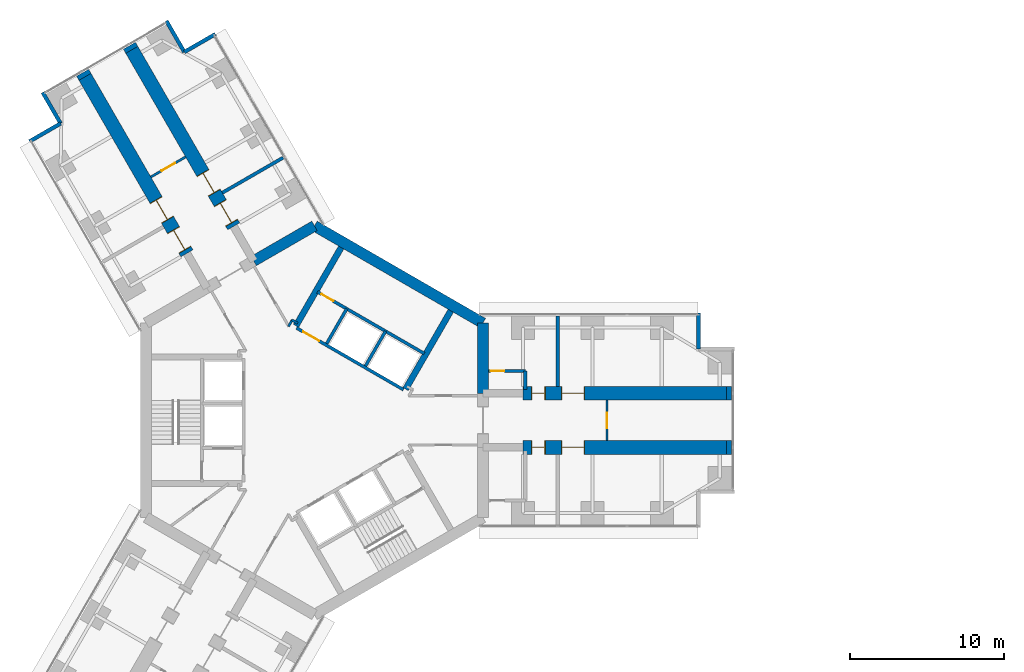
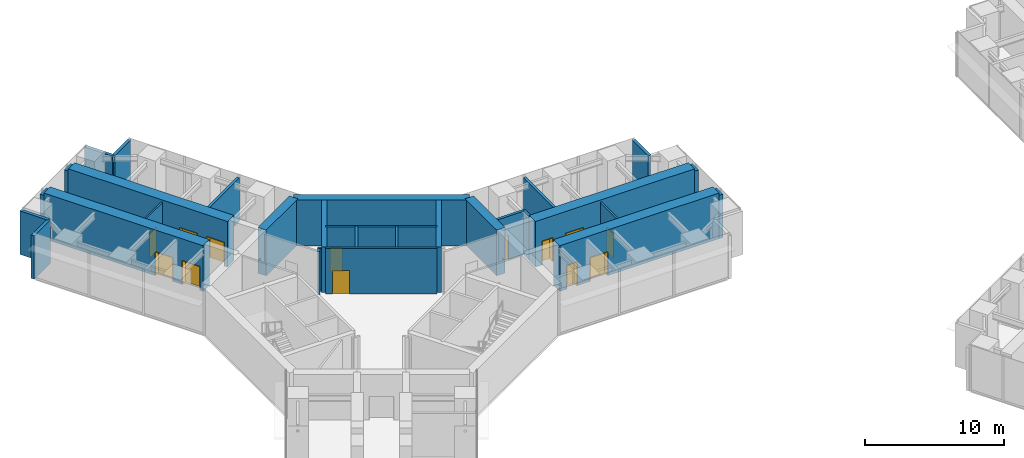
# One storey, part 18 of 23: 30 walls, 13 doors, 13 openings.
"""IFC4 building model written with IfcOpenShell, lengths in metres."""

from ifc_helpers import new_model, si_unit, direction, frame, frame_2d, origin, place, context, subcontext, project, spatial, rectangle, extrude, material, layer, layer_set, type_object, element, fill, save


model = new_model("IFC4")

# Units and contexts
model_context = context("Model", 3, precision=1e-05, world=origin(), true_north=direction((0.0, 1.0)))
body_context = subcontext(model_context, "Body", "Model", "MODEL_VIEW")
ifc_project = project(units=[si_unit("LENGTHUNIT", "METRE"), si_unit("AREAUNIT", "SQUARE_METRE"), si_unit("VOLUMEUNIT", "CUBIC_METRE"), si_unit("PLANEANGLEUNIT", "RADIAN"), si_unit("MASSUNIT", "GRAM", prefix="KILO")], contexts=[model_context])

# Site, building, storey
site_placement = place(None, origin())
site = spatial("IfcSite", under=ifc_project, at=site_placement, CompositionType="ELEMENT")
building_placement = place(site_placement, origin())
building = spatial("IfcBuilding", under=site, at=building_placement, Name="Upepo Twin Towers", CompositionType="ELEMENT")
storey_placement = place(building_placement, frame((0.0, 0.0, 32.5)))
storey = spatial("IfcBuildingStorey", under=building, at=storey_placement, Name="L07", CompositionType="ELEMENT", Elevation=32.5)

# Wall
ifc_material_1 = material(Name="Concrete blockwork, plastered both faces", Category="masonry")
ifc_layer_1 = layer(ifc_material_1, 0.215087890625)
ifc_layer_set_1 = layer_set([ifc_layer_1], Name="Blockwork partition 215")
wall_type_1 = type_object("IfcWallType", Name="Blockwork partition 215", PredefinedType="PARTITIONING", material=ifc_layer_set_1)
wall_1_placement = place(storey_placement, frame((15.75, 2.199951171875, 0.0), z_axis=(0.0, 0.0, 1.0), x_axis=(0.0, 1.0, 0.0)))
element("IfcWall", 1, at=wall_1_placement, inside=storey, type_object=wall_type_1, Name="T1 partition AL at 15.75", PredefinedType="PARTITIONING", context=body_context, shape_type="SweptSolid", body=[
    extrude(rectangle(XDim=4.550048828125, YDim=0.215087890625, at=frame_2d((2.27490234375, 0.0))), origin(), (0.0, 0.0, 1.0), 3.800048828125),
])

# Wall, opening, door
wall_2_placement = place(storey_placement, frame((11.258056640625, 3.199951171875, 0.0), z_axis=(0.0, 0.0, 1.0), x_axis=(1.0, 0.0, 0.0)))
wall_2 = element("IfcWall", 2, at=wall_2_placement, inside=storey, type_object=wall_type_1, Name="T1 WC bay partition AL at 11.26", PredefinedType="PARTITIONING", context=body_context, shape_type="SweptSolid", body=[
    extrude(rectangle(XDim=2.39990234375, YDim=0.215087890625, at=frame_2d((1.199951171875, 0.0))), origin(), (0.0, 0.0, 1.0), 3.800048828125),
])
opening_1_placement = place(wall_2_placement, frame((0.14990234375, 0.0, 0.0)))
opening_1 = element("IfcOpeningElement", 3, at=opening_1_placement, cuts=wall_2, Name="Opening D14", PredefinedType="OPENING", context=body_context, shape_type="SweptSolid", body=[
    extrude(rectangle(XDim=0.89990234375, YDim=2.10009765625, at=frame_2d((0.449951171875, 1.050048828125))), frame((0.0, 0.117431640625, 0.0), z_axis=(0.0, -1.0, 0.0), x_axis=(1.0, 0.0, 0.0)), (0.0, 0.0, 1.0), 0.235107421875),
])
ifc_material_2 = material(Name="Timber doorset", Category="wood")
door_type_1 = type_object("IfcDoorType", Name="Office door 900 FD30", OperationType="SINGLE_SWING_LEFT", PredefinedType="DOOR", material=ifc_material_2)
door_1_placement = place(opening_1_placement, origin())
door_1 = element("IfcDoor", 4, at=door_1_placement, inside=storey, type_object=door_type_1, Name="T1 L07 WC bay inner room door", OperationType="SINGLE_SWING_LEFT", OverallHeight=2.10009765625, OverallWidth=0.89990234375, PredefinedType="DOOR", context=body_context, shape_type="SweptSolid", body=[
    extrude(rectangle(XDim=0.89990234375, YDim=2.10009765625, at=frame_2d((0.449951171875, 1.050048828125))), frame((0.0, 0.02490234375, 0.0), z_axis=(0.0, -1.0, 0.0), x_axis=(1.0, 0.0, 0.0)), (0.0, 0.0, 1.0), 0.050048828125),
])
fill(opening_1, door_1)

# Walls
wall_3_placement = place(storey_placement, frame((13.657958984375, 2.0, 0.0), z_axis=(0.0, 0.0, 1.0), x_axis=(0.0, 1.0, 0.0)))
element("IfcWall", 5, at=wall_3_placement, inside=storey, type_object=wall_type_1, Name="T1 WC bay partition AL end at 13.66", PredefinedType="PARTITIONING", context=body_context, shape_type="SweptSolid", body=[
    extrude(rectangle(XDim=1.199951171875, YDim=0.215087890625, at=frame_2d((0.60009765625, 0.0))), origin(), (0.0, 0.0, 1.0), 3.800048828125),
])
wall_4_placement = place(storey_placement, frame((-5.9697265625, 14.739990234375, 0.0), z_axis=(0.0, 0.0, 1.0), x_axis=(0.866035472144, 0.499982560684, 0.0)))
element("IfcWall", 6, at=wall_4_placement, inside=storey, type_object=wall_type_1, Name="T1 partition BR at 15.75", PredefinedType="PARTITIONING", context=body_context, shape_type="SweptSolid", body=[
    extrude(rectangle(XDim=4.550048828125, YDim=0.215087890625, at=frame_2d((2.27490234375, 0.0))), origin(), (0.0, 0.0, 1.0), 3.800048828125),
])
ifc_material_3 = material(Name="Dense concrete blockwork", Category="masonry")
ifc_layer_2 = layer(ifc_material_3, 0.89990234375)
ifc_layer_set_2 = layer_set([ifc_layer_2], Name="Buttress closer 900, blockwork with fire-stopping to the curtain wall")
wall_type_2 = type_object("IfcWallType", Name="Buttress closer 900, blockwork with fire-stopping to the curtain wall", PredefinedType="PARTITIONING", material=ifc_layer_set_2)
for number, where, z_axis, x_axis, name in (
    (7, (26.699951171875, 1.75, 0.0), (0.0, 0.0, 1.0), (1.0, 0.0, 0.0), "T1 L07 wing A buttress closer L"),
    (8, (26.699951171875, -1.75, 0.0), (0.0, 0.0, 1.0), (1.0, 0.0, 0.0), "T1 L07 wing A buttress closer R"),
    (9, (-14.865478515625, 22.247802734375, 0.0), (0.0, 0.0, 1.0), (-0.499949632511, 0.866054481515, 0.0), "T1 L07 wing B buttress closer L"),
    (10, (-11.83447265625, 23.997802734375, 0.0), (0.0, 0.0, 1.0), (-0.499949632511, 0.866054481515, 0.0), "T1 L07 wing B buttress closer R"),
):
    element("IfcWall", number, at=place(storey_placement, frame(where, z_axis=z_axis, x_axis=x_axis)), inside=storey, type_object=wall_type_2, Name=name, PredefinedType="PARTITIONING", context=body_context, shape_type="SweptSolid", body=[
        extrude(rectangle(XDim=0.31005859375, YDim=0.89990234375, at=frame_2d((0.155029296875, 0.0))), origin(), (0.0, 0.0, 1.0), 3.800048828125),
    ])

# Wall, openings, doors
ifc_material_4 = material(Name="Concrete C60/75", Category="concrete")
ifc_layer_3 = layer(ifc_material_4, 0.89990234375)
ifc_layer_set_3 = layer_set([ifc_layer_3], Name="Concrete C60/75")
wall_type_3 = type_object("IfcWallType", Name="Buttress wall 900 RC", PredefinedType="SHEAR", material=ifc_layer_set_3)
wall_5_placement = place(storey_placement, frame((13.5, 1.75, 0.0), z_axis=(0.0, 0.0, 1.0), x_axis=(1.0, 0.0, 0.0)))
wall_5 = element("IfcWall", 11, at=wall_5_placement, inside=storey, type_object=wall_type_3, Name="T1 wing A buttress wall L part 2", PredefinedType="SHEAR", context=body_context, shape_type="SweptSolid", body=[
    extrude(rectangle(XDim=13.199951171875, YDim=0.89990234375, at=frame_2d((6.60009765625, 0.0))), origin(), (0.0, 0.0, 1.0), 4.0),
])
opening_2_placement = place(wall_5_placement, frame((0.550048828125, 0.0, 0.0)))
opening_2 = element("IfcOpeningElement", 12, at=opening_2_placement, cuts=wall_5, Name="Opening D11", PredefinedType="OPENING", context=body_context, shape_type="SweptSolid", body=[
    extrude(rectangle(XDim=0.89990234375, YDim=2.10009765625, at=frame_2d((0.449951171875, 1.050048828125))), frame((0.0, 0.4599609375, 0.0), z_axis=(0.0, -1.0, 0.0), x_axis=(1.0, 0.0, 0.0)), (0.0, 0.0, 1.0), 0.919921875),
])
opening_3_placement = place(wall_5_placement, frame((2.5, 0.0, 0.0)))
opening_3 = element("IfcOpeningElement", 13, at=opening_3_placement, cuts=wall_5, Name="Opening D13", PredefinedType="OPENING", context=body_context, shape_type="SweptSolid", body=[
    extrude(rectangle(XDim=1.5, YDim=2.10009765625, at=frame_2d((0.75, 1.050048828125))), frame((0.0, 0.4599609375, 0.0), z_axis=(0.0, -1.0, 0.0), x_axis=(1.0, 0.0, 0.0)), (0.0, 0.0, 1.0), 0.919921875),
])
ifc_material_5 = material(Name="Timber doorset", Category="wood")
door_type_2 = type_object("IfcDoorType", Name="Double door 1500 FD30", OperationType="DOUBLE_DOOR_SINGLE_SWING", PredefinedType="DOOR", material=ifc_material_5)
door_2_placement = place(opening_3_placement, origin())
door_2 = element("IfcDoor", 14, at=door_2_placement, inside=storey, type_object=door_type_2, Name="T1 L07 teaching laboratory door", OperationType="DOUBLE_DOOR_SINGLE_SWING", OverallHeight=2.10009765625, OverallWidth=1.5, PredefinedType="DOOR", context=body_context, shape_type="SweptSolid", body=[
    extrude(rectangle(XDim=1.42, YDim=2.06009765625, at=frame_2d((0.75, 1.030029296875))), frame((0.0, 0.02490234375, 0.0), z_axis=(0.0, -1.0, 0.0), x_axis=(1.0, 0.0, 0.0)), (0.0, 0.0, 1.0), 0.050048828125),
    extrude(rectangle(XDim=0.04, YDim=2.10009765625, at=frame_2d((0.02001953125, 1.050048828125))), frame((0.0, 0.44970703125, 0.0), z_axis=(0.0, -1.0, 0.0), x_axis=(1.0, 0.0, 0.0)), (0.0, 0.0, 1.0), 0.8994140625),
    extrude(rectangle(XDim=0.04, YDim=2.10009765625, at=frame_2d((1.47998046875, 1.050048828125))), frame((0.0, 0.44970703125, 0.0), z_axis=(0.0, -1.0, 0.0), x_axis=(1.0, 0.0, 0.0)), (0.0, 0.0, 1.0), 0.8994140625),
    extrude(rectangle(XDim=1.42, YDim=0.04, at=frame_2d((0.75, 2.080078125))), frame((0.0, 0.44970703125, 0.0), z_axis=(0.0, -1.0, 0.0), x_axis=(1.0, 0.0, 0.0)), (0.0, 0.0, 1.0), 0.8994140625),
])
fill(opening_3, door_2)
ifc_material_6 = material(Name="Timber doorset", Category="wood")
door_type_3 = type_object("IfcDoorType", Name="Toilet door 900", OperationType="SINGLE_SWING_LEFT", PredefinedType="DOOR", material=ifc_material_6)
door_3_placement = place(opening_2_placement, origin())
door_3 = element("IfcDoor", 15, at=door_3_placement, inside=storey, type_object=door_type_3, Name="T1 L07 toilets door", OperationType="SINGLE_SWING_LEFT", OverallHeight=2.10009765625, OverallWidth=0.89990234375, PredefinedType="DOOR", context=body_context, shape_type="SweptSolid", body=[
    extrude(rectangle(XDim=0.81990234375, YDim=2.06009765625, at=frame_2d((0.449951171875, 1.030029296875))), frame((0.0, 0.02490234375, 0.0), z_axis=(0.0, -1.0, 0.0), x_axis=(1.0, 0.0, 0.0)), (0.0, 0.0, 1.0), 0.050048828125),
    extrude(rectangle(XDim=0.04, YDim=2.10009765625, at=frame_2d((0.02001953125, 1.050048828125))), frame((0.0, 0.44970703125, 0.0), z_axis=(0.0, -1.0, 0.0), x_axis=(1.0, 0.0, 0.0)), (0.0, 0.0, 1.0), 0.8994140625),
    extrude(rectangle(XDim=0.04, YDim=2.10009765625, at=frame_2d((0.8798828125, 1.050048828125))), frame((0.0, 0.44970703125, 0.0), z_axis=(0.0, -1.0, 0.0), x_axis=(1.0, 0.0, 0.0)), (0.0, 0.0, 1.0), 0.8994140625),
    extrude(rectangle(XDim=0.81990234375, YDim=0.04, at=frame_2d((0.449951171875, 2.080078125))), frame((0.0, 0.44970703125, 0.0), z_axis=(0.0, -1.0, 0.0), x_axis=(1.0, 0.0, 0.0)), (0.0, 0.0, 1.0), 0.8994140625),
])
fill(opening_2, door_3)

wall_6_placement = place(storey_placement, frame((13.5, -1.75, 0.0), z_axis=(0.0, 0.0, 1.0), x_axis=(1.0, 0.0, 0.0)))
wall_6 = element("IfcWall", 16, at=wall_6_placement, inside=storey, type_object=wall_type_3, Name="T1 wing A buttress wall R part 2", PredefinedType="SHEAR", context=body_context, shape_type="SweptSolid", body=[
    extrude(rectangle(XDim=13.199951171875, YDim=0.89990234375, at=frame_2d((6.60009765625, 0.0))), origin(), (0.0, 0.0, 1.0), 4.0),
])
opening_4_placement = place(wall_6_placement, frame((0.550048828125, 0.0, 0.0)))
opening_4 = element("IfcOpeningElement", 17, at=opening_4_placement, cuts=wall_6, Name="Opening D11", PredefinedType="OPENING", context=body_context, shape_type="SweptSolid", body=[
    extrude(rectangle(XDim=0.89990234375, YDim=2.10009765625, at=frame_2d((0.449951171875, 1.050048828125))), frame((0.0, 0.4599609375, 0.0), z_axis=(0.0, -1.0, 0.0), x_axis=(1.0, 0.0, 0.0)), (0.0, 0.0, 1.0), 0.919921875),
])
opening_5_placement = place(wall_6_placement, frame((2.5, 0.0, 0.0)))
opening_5 = element("IfcOpeningElement", 18, at=opening_5_placement, cuts=wall_6, Name="Opening D13", PredefinedType="OPENING", context=body_context, shape_type="SweptSolid", body=[
    extrude(rectangle(XDim=1.5, YDim=2.10009765625, at=frame_2d((0.75, 1.050048828125))), frame((0.0, 0.4599609375, 0.0), z_axis=(0.0, -1.0, 0.0), x_axis=(1.0, 0.0, 0.0)), (0.0, 0.0, 1.0), 0.919921875),
])
door_4_placement = place(opening_5_placement, origin())
door_4 = element("IfcDoor", 19, at=door_4_placement, inside=storey, type_object=door_type_2, Name="T1 L07 teaching laboratory door", OperationType="DOUBLE_DOOR_SINGLE_SWING", OverallHeight=2.10009765625, OverallWidth=1.5, PredefinedType="DOOR", context=body_context, shape_type="SweptSolid", body=[
    extrude(rectangle(XDim=1.42, YDim=2.06009765625, at=frame_2d((0.75, 1.030029296875))), frame((0.0, 0.02490234375, 0.0), z_axis=(0.0, -1.0, 0.0), x_axis=(1.0, 0.0, 0.0)), (0.0, 0.0, 1.0), 0.050048828125),
    extrude(rectangle(XDim=0.04, YDim=2.10009765625, at=frame_2d((0.02001953125, 1.050048828125))), frame((0.0, 0.44970703125, 0.0), z_axis=(0.0, -1.0, 0.0), x_axis=(1.0, 0.0, 0.0)), (0.0, 0.0, 1.0), 0.8994140625),
    extrude(rectangle(XDim=0.04, YDim=2.10009765625, at=frame_2d((1.47998046875, 1.050048828125))), frame((0.0, 0.44970703125, 0.0), z_axis=(0.0, -1.0, 0.0), x_axis=(1.0, 0.0, 0.0)), (0.0, 0.0, 1.0), 0.8994140625),
    extrude(rectangle(XDim=1.42, YDim=0.04, at=frame_2d((0.75, 2.080078125))), frame((0.0, 0.44970703125, 0.0), z_axis=(0.0, -1.0, 0.0), x_axis=(1.0, 0.0, 0.0)), (0.0, 0.0, 1.0), 0.8994140625),
])
fill(opening_5, door_4)
door_5_placement = place(opening_4_placement, origin())
door_5 = element("IfcDoor", 20, at=door_5_placement, inside=storey, type_object=door_type_3, Name="T1 L07 accessible wc door", OperationType="SINGLE_SWING_LEFT", OverallHeight=2.10009765625, OverallWidth=0.89990234375, PredefinedType="DOOR", context=body_context, shape_type="SweptSolid", body=[
    extrude(rectangle(XDim=0.81990234375, YDim=2.06009765625, at=frame_2d((0.449951171875, 1.030029296875))), frame((0.0, 0.02490234375, 0.0), z_axis=(0.0, -1.0, 0.0), x_axis=(1.0, 0.0, 0.0)), (0.0, 0.0, 1.0), 0.050048828125),
    extrude(rectangle(XDim=0.04, YDim=2.10009765625, at=frame_2d((0.02001953125, 1.050048828125))), frame((0.0, 0.44970703125, 0.0), z_axis=(0.0, -1.0, 0.0), x_axis=(1.0, 0.0, 0.0)), (0.0, 0.0, 1.0), 0.8994140625),
    extrude(rectangle(XDim=0.04, YDim=2.10009765625, at=frame_2d((0.8798828125, 1.050048828125))), frame((0.0, 0.44970703125, 0.0), z_axis=(0.0, -1.0, 0.0), x_axis=(1.0, 0.0, 0.0)), (0.0, 0.0, 1.0), 0.8994140625),
    extrude(rectangle(XDim=0.81990234375, YDim=0.04, at=frame_2d((0.449951171875, 2.080078125))), frame((0.0, 0.44970703125, 0.0), z_axis=(0.0, -1.0, 0.0), x_axis=(1.0, 0.0, 0.0)), (0.0, 0.0, 1.0), 0.8994140625),
])
fill(opening_4, door_5)

wall_7_placement = place(storey_placement, frame((-8.265625, 10.81640625, 0.0), z_axis=(0.0, 0.0, 1.0), x_axis=(-0.499996231654, 0.866027579429, 0.0)))
wall_7 = element("IfcWall", 21, at=wall_7_placement, inside=storey, type_object=wall_type_3, Name="T1 wing B buttress wall L part 2", PredefinedType="SHEAR", context=body_context, shape_type="SweptSolid", body=[
    extrude(rectangle(XDim=13.19970703125, YDim=0.89990234375, at=frame_2d((6.599853515625, 0.0))), origin(), (0.0, 0.0, 1.0), 4.0),
])
opening_6_placement = place(wall_7_placement, frame((0.25, 0.0, 0.0)))
opening_6 = element("IfcOpeningElement", 22, at=opening_6_placement, cuts=wall_7, Name="Opening D13", PredefinedType="OPENING", context=body_context, shape_type="SweptSolid", body=[
    extrude(rectangle(XDim=1.5, YDim=2.10009765625, at=frame_2d((0.75, 1.050048828125))), frame((0.0, 0.4599609375, 0.0), z_axis=(0.0, -1.0, 0.0), x_axis=(1.0, 0.0, 0.0)), (0.0, 0.0, 1.0), 0.919921875),
])
opening_7_placement = place(wall_7_placement, frame((2.5, 0.0, 0.0)))
opening_7 = element("IfcOpeningElement", 23, at=opening_7_placement, cuts=wall_7, Name="Opening D13", PredefinedType="OPENING", context=body_context, shape_type="SweptSolid", body=[
    extrude(rectangle(XDim=1.5, YDim=2.10009765625, at=frame_2d((0.75, 1.050048828125))), frame((0.0, 0.4599609375, 0.0), z_axis=(0.0, -1.0, 0.0), x_axis=(1.0, 0.0, 0.0)), (0.0, 0.0, 1.0), 0.919921875),
])
door_6_placement = place(opening_6_placement, origin())
door_6 = element("IfcDoor", 24, at=door_6_placement, inside=storey, type_object=door_type_2, Name="T1 L07 instrument room door", OperationType="DOUBLE_DOOR_SINGLE_SWING", OverallHeight=2.10009765625, OverallWidth=1.5, PredefinedType="DOOR", context=body_context, shape_type="SweptSolid", body=[
    extrude(rectangle(XDim=1.42, YDim=2.06009765625, at=frame_2d((0.75, 1.030029296875))), frame((0.0, 0.02490234375, 0.0), z_axis=(0.0, -1.0, 0.0), x_axis=(1.0, 0.0, 0.0)), (0.0, 0.0, 1.0), 0.050048828125),
    extrude(rectangle(XDim=0.04, YDim=2.10009765625, at=frame_2d((0.02001953125, 1.050048828125))), frame((0.0, 0.44970703125, 0.0), z_axis=(0.0, -1.0, 0.0), x_axis=(1.0, 0.0, 0.0)), (0.0, 0.0, 1.0), 0.8994140625),
    extrude(rectangle(XDim=0.04, YDim=2.10009765625, at=frame_2d((1.47998046875, 1.050048828125))), frame((0.0, 0.44970703125, 0.0), z_axis=(0.0, -1.0, 0.0), x_axis=(1.0, 0.0, 0.0)), (0.0, 0.0, 1.0), 0.8994140625),
    extrude(rectangle(XDim=1.42, YDim=0.04, at=frame_2d((0.75, 2.080078125))), frame((0.0, 0.44970703125, 0.0), z_axis=(0.0, -1.0, 0.0), x_axis=(1.0, 0.0, 0.0)), (0.0, 0.0, 1.0), 0.8994140625),
])
fill(opening_6, door_6)
door_7_placement = place(opening_7_placement, origin())
door_7 = element("IfcDoor", 25, at=door_7_placement, inside=storey, type_object=door_type_2, Name="T1 L07 teaching laboratory door", OperationType="DOUBLE_DOOR_SINGLE_SWING", OverallHeight=2.10009765625, OverallWidth=1.5, PredefinedType="DOOR", context=body_context, shape_type="SweptSolid", body=[
    extrude(rectangle(XDim=1.42, YDim=2.06009765625, at=frame_2d((0.75, 1.030029296875))), frame((0.0, 0.02490234375, 0.0), z_axis=(0.0, -1.0, 0.0), x_axis=(1.0, 0.0, 0.0)), (0.0, 0.0, 1.0), 0.050048828125),
    extrude(rectangle(XDim=0.04, YDim=2.10009765625, at=frame_2d((0.02001953125, 1.050048828125))), frame((0.0, 0.44970703125, 0.0), z_axis=(0.0, -1.0, 0.0), x_axis=(1.0, 0.0, 0.0)), (0.0, 0.0, 1.0), 0.8994140625),
    extrude(rectangle(XDim=0.04, YDim=2.10009765625, at=frame_2d((1.47998046875, 1.050048828125))), frame((0.0, 0.44970703125, 0.0), z_axis=(0.0, -1.0, 0.0), x_axis=(1.0, 0.0, 0.0)), (0.0, 0.0, 1.0), 0.8994140625),
    extrude(rectangle(XDim=1.42, YDim=0.04, at=frame_2d((0.75, 2.080078125))), frame((0.0, 0.44970703125, 0.0), z_axis=(0.0, -1.0, 0.0), x_axis=(1.0, 0.0, 0.0)), (0.0, 0.0, 1.0), 0.8994140625),
])
fill(opening_7, door_7)

wall_8_placement = place(storey_placement, frame((-5.234375, 12.56640625, 0.0), z_axis=(0.0, 0.0, 1.0), x_axis=(-0.500010103361, 0.866019570528, 0.0)))
wall_8 = element("IfcWall", 26, at=wall_8_placement, inside=storey, type_object=wall_type_3, Name="T1 wing B buttress wall R part 2", PredefinedType="SHEAR", context=body_context, shape_type="SweptSolid", body=[
    extrude(rectangle(XDim=13.199951171875, YDim=0.89990234375, at=frame_2d((6.60009765625, 0.0))), origin(), (0.0, 0.0, 1.0), 4.0),
])
opening_8_placement = place(wall_8_placement, frame((0.25, 0.0, 0.0)))
opening_8 = element("IfcOpeningElement", 27, at=opening_8_placement, cuts=wall_8, Name="Opening D13", PredefinedType="OPENING", context=body_context, shape_type="SweptSolid", body=[
    extrude(rectangle(XDim=1.5, YDim=2.10009765625, at=frame_2d((0.75, 1.050048828125))), frame((0.0, 0.4599609375, 0.0), z_axis=(0.0, -1.0, 0.0), x_axis=(1.0, 0.0, 0.0)), (0.0, 0.0, 1.0), 0.919921875),
])
opening_9_placement = place(wall_8_placement, frame((2.5, 0.0, 0.0)))
opening_9 = element("IfcOpeningElement", 28, at=opening_9_placement, cuts=wall_8, Name="Opening D13", PredefinedType="OPENING", context=body_context, shape_type="SweptSolid", body=[
    extrude(rectangle(XDim=1.5, YDim=2.10009765625, at=frame_2d((0.75, 1.050048828125))), frame((0.0, 0.4599609375, 0.0), z_axis=(0.0, -1.0, 0.0), x_axis=(1.0, 0.0, 0.0)), (0.0, 0.0, 1.0), 0.919921875),
])
door_8_placement = place(opening_8_placement, origin())
door_8 = element("IfcDoor", 29, at=door_8_placement, inside=storey, type_object=door_type_2, Name="T1 L07 write-up room door", OperationType="DOUBLE_DOOR_SINGLE_SWING", OverallHeight=2.10009765625, OverallWidth=1.5, PredefinedType="DOOR", context=body_context, shape_type="SweptSolid", body=[
    extrude(rectangle(XDim=1.42, YDim=2.06009765625, at=frame_2d((0.75, 1.030029296875))), frame((0.0, 0.02490234375, 0.0), z_axis=(0.0, -1.0, 0.0), x_axis=(1.0, 0.0, 0.0)), (0.0, 0.0, 1.0), 0.050048828125),
    extrude(rectangle(XDim=0.04, YDim=2.10009765625, at=frame_2d((0.02001953125, 1.050048828125))), frame((0.0, 0.44970703125, 0.0), z_axis=(0.0, -1.0, 0.0), x_axis=(1.0, 0.0, 0.0)), (0.0, 0.0, 1.0), 0.8994140625),
    extrude(rectangle(XDim=0.04, YDim=2.10009765625, at=frame_2d((1.47998046875, 1.050048828125))), frame((0.0, 0.44970703125, 0.0), z_axis=(0.0, -1.0, 0.0), x_axis=(1.0, 0.0, 0.0)), (0.0, 0.0, 1.0), 0.8994140625),
    extrude(rectangle(XDim=1.42, YDim=0.04, at=frame_2d((0.75, 2.080078125))), frame((0.0, 0.44970703125, 0.0), z_axis=(0.0, -1.0, 0.0), x_axis=(1.0, 0.0, 0.0)), (0.0, 0.0, 1.0), 0.8994140625),
])
fill(opening_8, door_8)
door_9_placement = place(opening_9_placement, origin())
door_9 = element("IfcDoor", 30, at=door_9_placement, inside=storey, type_object=door_type_2, Name="T1 L07 teaching laboratory door", OperationType="DOUBLE_DOOR_SINGLE_SWING", OverallHeight=2.10009765625, OverallWidth=1.5, PredefinedType="DOOR", context=body_context, shape_type="SweptSolid", body=[
    extrude(rectangle(XDim=1.42, YDim=2.06009765625, at=frame_2d((0.75, 1.030029296875))), frame((0.0, 0.02490234375, 0.0), z_axis=(0.0, -1.0, 0.0), x_axis=(1.0, 0.0, 0.0)), (0.0, 0.0, 1.0), 0.050048828125),
    extrude(rectangle(XDim=0.04, YDim=2.10009765625, at=frame_2d((0.02001953125, 1.050048828125))), frame((0.0, 0.44970703125, 0.0), z_axis=(0.0, -1.0, 0.0), x_axis=(1.0, 0.0, 0.0)), (0.0, 0.0, 1.0), 0.8994140625),
    extrude(rectangle(XDim=0.04, YDim=2.10009765625, at=frame_2d((1.47998046875, 1.050048828125))), frame((0.0, 0.44970703125, 0.0), z_axis=(0.0, -1.0, 0.0), x_axis=(1.0, 0.0, 0.0)), (0.0, 0.0, 1.0), 0.8994140625),
    extrude(rectangle(XDim=1.42, YDim=0.04, at=frame_2d((0.75, 2.080078125))), frame((0.0, 0.44970703125, 0.0), z_axis=(0.0, -1.0, 0.0), x_axis=(1.0, 0.0, 0.0)), (0.0, 0.0, 1.0), 0.8994140625),
])
fill(opening_9, door_9)

# Walls
ifc_material_7 = material(Name="Concrete C60/75", Category="concrete")
ifc_layer_4 = layer(ifc_material_7, 0.699951171875)
ifc_layer_set_4 = layer_set([ifc_layer_4], Name="Concrete C60/75")
wall_type_4 = type_object("IfcWallType", Name="Core wall 700 RC", PredefinedType="SHEAR", material=ifc_layer_set_4)
wall_9_placement = place(storey_placement, frame((10.908447265625, 1.75, 0.0), z_axis=(0.0, 0.0, 1.0), x_axis=(0.0, 1.0, 0.0)))
element("IfcWall", 31, at=wall_9_placement, inside=storey, type_object=wall_type_4, Name="T1 core wall 000 L", PredefinedType="SHEAR", context=body_context, shape_type="SweptSolid", body=[
    extrude(rectangle(XDim=4.5478515625, YDim=0.699951171875, at=frame_2d((2.27392578125, 0.0))), origin(), (0.0, 0.0, 1.0), 4.0),
])
wall_10_placement = place(storey_placement, frame((10.908447265625, 6.2978515625, 0.0), z_axis=(0.0, 0.0, 1.0), x_axis=(-0.866021940709, 0.500005998175, 0.0)))
element("IfcWall", 32, at=wall_10_placement, inside=storey, type_object=wall_type_4, Name="T1 core wall 060", PredefinedType="SHEAR", context=body_context, shape_type="SweptSolid", body=[
    extrude(rectangle(XDim=12.595947265625, YDim=0.699951171875, at=frame_2d((6.2978515625, 0.0))), origin(), (0.0, 0.0, 1.0), 4.0),
])
wall_11_placement = place(storey_placement, frame((0.0, 12.595947265625, 0.0), z_axis=(0.0, 0.0, 1.0), x_axis=(-0.866011268655, -0.500024481964, 0.0)))
element("IfcWall", 33, at=wall_11_placement, inside=storey, type_object=wall_type_4, Name="T1 core wall 120 R", PredefinedType="SHEAR", context=body_context, shape_type="SweptSolid", body=[
    extrude(rectangle(XDim=4.548095703125, YDim=0.699951171875, at=frame_2d((2.27392578125, 0.0))), origin(), (0.0, 0.0, 1.0), 4.0),
])
ifc_material_8 = material(Name="Blockwork with anodised aluminium cladding", Category="masonry")
ifc_layer_5 = layer(ifc_material_8, 0.25)
ifc_layer_set_5 = layer_set([ifc_layer_5], Name="Notch cladding wall 250, pale metal")
wall_type_5 = type_object("IfcWallType", Name="Notch cladding wall 250, pale metal", PredefinedType="STANDARD", material=ifc_layer_set_5)
for number, where, z_axis, x_axis, name in (
    (34, (24.875, 6.949951171875, 0.0), (0.0, 0.0, 1.0), (0.0, -1.0, 0.0), "T1 L07 wing A notch wall L1"),
    (35, (-18.456298828125, 18.0673828125, 0.0), (0.0, 0.0, 1.0), (0.865998469481, 0.500046648681, 0.0), "T1 L07 wing B notch wall L1"),
    (36, (-16.44287109375, 19.22998046875, 0.0), (0.0, 0.0, 1.0), (-0.500046648681, 0.865998469481, 0.0), "T1 L07 wing B notch wall L2"),
    (37, (-6.418701171875, 25.017333984375, 0.0), (0.0, 0.0, 1.0), (-0.866043940782, -0.499967891604, 0.0), "T1 L07 wing B notch wall R1"),
    (38, (-8.43212890625, 23.85498046875, 0.0), (0.0, 0.0, 1.0), (-0.500046648681, 0.865998469481, 0.0), "T1 L07 wing B notch wall R2"),
):
    element("IfcWall", number, at=place(storey_placement, frame(where, z_axis=z_axis, x_axis=x_axis)), inside=storey, type_object=wall_type_5, Name=name, PredefinedType="STANDARD", context=body_context, shape_type="SweptSolid", body=[
        extrude(rectangle(XDim=2.324951171875, YDim=0.25, at=frame_2d((1.16259765625, 0.0))), origin(), (0.0, 0.0, 1.0), 3.800048828125),
    ])

# Wall, opening, door
ifc_material_9 = material(Name="Concrete C40/50", Category="concrete")
ifc_layer_6 = layer(ifc_material_9, 0.199951171875)
ifc_layer_set_6 = layer_set([ifc_layer_6], Name="Concrete C40/50")
wall_type_6 = type_object("IfcWallType", Name="Shaft wall 200 RC", PredefinedType="SHEAR", material=ifc_layer_set_6)
wall_12_placement = place(storey_placement, frame((5.76416015625, 1.983642578125, 0.0), z_axis=(0.0, 0.0, 1.0), x_axis=(-0.866026010844, 0.49999894854, 0.0)))
wall_12 = element("IfcWall", 39, at=wall_12_placement, inside=storey, type_object=wall_type_6, Name="T1 core W60 front wall", PredefinedType="SHEAR", context=body_context, shape_type="SweptSolid", body=[
    extrude(rectangle(XDim=8.0, YDim=0.199951171875, at=frame_2d((4.0, 0.0))), origin(), (0.0, 0.0, 1.0), 4.0),
])
opening_10_placement = place(wall_12_placement, frame((6.300048828125, 0.0, 0.0)))
opening_10 = element("IfcOpeningElement", 40, at=opening_10_placement, cuts=wall_12, Name="Opening D4", PredefinedType="OPENING", context=body_context, shape_type="SweptSolid", body=[
    extrude(rectangle(XDim=1.199951171875, YDim=2.10009765625, at=frame_2d((0.60009765625, 1.050048828125))), frame((0.0, 0.10986328125, 0.0), z_axis=(0.0, -1.0, 0.0), x_axis=(1.0, 0.0, 0.0)), (0.0, 0.0, 1.0), 0.219970703125),
])
ifc_material_10 = material(Name="Timber doorset", Category="wood")
door_type_4 = type_object("IfcDoorType", Name="Lobby door 1200 FD60", OperationType="SINGLE_SWING_LEFT", PredefinedType="DOOR", material=ifc_material_10)
door_10_placement = place(opening_10_placement, origin())
door_10 = element("IfcDoor", 41, at=door_10_placement, inside=storey, type_object=door_type_4, Name="T1 L07 W60 lobby door", OperationType="SINGLE_SWING_RIGHT", OverallHeight=2.10009765625, OverallWidth=1.199951171875, PredefinedType="DOOR", context=body_context, shape_type="SweptSolid", body=[
    extrude(rectangle(XDim=1.199951171875, YDim=2.10009765625, at=frame_2d((0.60009765625, 1.050048828125))), frame((0.0, 0.02490234375, 0.0), z_axis=(0.0, -1.0, 0.0), x_axis=(1.0, 0.0, 0.0)), (0.0, 0.0, 1.0), 0.050048828125),
])
fill(opening_10, door_10)

# Walls
for number, where, z_axis, x_axis, name in (
    (42, (3.302734375, 3.520263671875, 0.0), (0.0, 0.0, 1.0), (0.499936506574, 0.866062058628, 0.0), "T1 core W60 shaft divider"),
    (43, (0.791259765625, 4.97021484375, 0.0), (0.0, 0.0, 1.0), (0.499936506574, 0.866062058628, 0.0), "T1 core W60 lobby wall"),
):
    element("IfcWall", number, at=place(storey_placement, frame(where, z_axis=z_axis, x_axis=x_axis)), inside=storey, type_object=wall_type_6, Name=name, PredefinedType="SHEAR", context=body_context, shape_type="SweptSolid", body=[
        extrude(rectangle(XDim=2.599853515625, YDim=0.199951171875, at=frame_2d((1.2998046875, 0.0))), origin(), (0.0, 0.0, 1.0), 4.0),
    ])

# Wall, opening, door
wall_13_placement = place(storey_placement, frame((7.114013671875, 4.322021484375, 0.0), z_axis=(0.0, 0.0, 1.0), x_axis=(-0.866026010844, 0.49999894854, 0.0)))
wall_13 = element("IfcWall", 44, at=wall_13_placement, inside=storey, type_object=wall_type_6, Name="T1 core W60 stair wall", PredefinedType="SHEAR", context=body_context, shape_type="SweptSolid", body=[
    extrude(rectangle(XDim=8.0, YDim=0.199951171875, at=frame_2d((4.0, 0.0))), origin(), (0.0, 0.0, 1.0), 4.0),
])
opening_11_placement = place(wall_13_placement, frame((6.800048828125, 0.0, 0.0)))
opening_11 = element("IfcOpeningElement", 45, at=opening_11_placement, cuts=wall_13, Name="Opening D9", PredefinedType="OPENING", context=body_context, shape_type="SweptSolid", body=[
    extrude(rectangle(XDim=0.89990234375, YDim=2.10009765625, at=frame_2d((0.449951171875, 1.050048828125))), frame((0.0, 0.10986328125, 0.0), z_axis=(0.0, -1.0, 0.0), x_axis=(1.0, 0.0, 0.0)), (0.0, 0.0, 1.0), 0.219970703125),
])
ifc_material_11 = material(Name="Timber doorset", Category="wood")
door_type_5 = type_object("IfcDoorType", Name="Riser door 900 FD60", OperationType="SINGLE_SWING_LEFT", PredefinedType="DOOR", material=ifc_material_11)
door_11_placement = place(opening_11_placement, origin())
door_11 = element("IfcDoor", 46, at=door_11_placement, inside=storey, type_object=door_type_5, Name="T1 L07 riser door", OperationType="SINGLE_SWING_RIGHT", OverallHeight=2.10009765625, OverallWidth=0.89990234375, PredefinedType="DOOR", context=body_context, shape_type="SweptSolid", body=[
    extrude(rectangle(XDim=0.89990234375, YDim=2.10009765625, at=frame_2d((0.449951171875, 1.050048828125))), frame((0.0, 0.02490234375, 0.0), z_axis=(0.0, -1.0, 0.0), x_axis=(1.0, 0.0, 0.0)), (0.0, 0.0, 1.0), 0.050048828125),
])
fill(opening_11, door_11)

# Walls
ifc_material_12 = material(Name="Concrete C40/50", Category="concrete")
ifc_layer_7 = layer(ifc_material_12, 0.39990234375)
ifc_layer_set_7 = layer_set([ifc_layer_7], Name="Concrete C40/50")
wall_type_7 = type_object("IfcWallType", Name="Shaft wall 400 RC", PredefinedType="SHEAR", material=ifc_layer_set_7)
for number, where, z_axis, x_axis, name in (
    (47, (-1.20068359375, 6.120361328125, 0.0), (0.0, 0.0, 1.0), (0.500002627198, 0.866023886965, 0.0), "T1 core W60 side wall N"),
    (48, (5.900634765625, 2.020263671875, 0.0), (0.0, 0.0, 1.0), (0.500002627198, 0.866023886965, 0.0), "T1 core W60 side wall S"),
):
    element("IfcWall", number, at=place(storey_placement, frame(where, z_axis=z_axis, x_axis=x_axis)), inside=storey, type_object=wall_type_7, Name=name, PredefinedType="SHEAR", context=body_context, shape_type="SweptSolid", body=[
        extrude(rectangle(XDim=5.8583984375, YDim=0.39990234375, at=frame_2d((2.92919921875, 0.0))), origin(), (0.0, 0.0, 1.0), 4.0),
    ])
ifc_material_13 = material(Name="Gypsum board on steel studs", Category="steel")
ifc_layer_8 = layer(ifc_material_13, 0.14990234375)
ifc_layer_set_8 = layer_set([ifc_layer_8], Name="Teaching partition 150 acoustic")
wall_type_8 = type_object("IfcWallType", Name="Teaching partition 150 acoustic", PredefinedType="PARTITIONING", material=ifc_layer_set_8)
wall_14_placement = place(storey_placement, frame((-1.684326171875, 6.082763671875, 0.0), z_axis=(0.0, 0.0, 1.0), x_axis=(0.50033519877, 0.865831790172, 0.0)))
element("IfcWall", 49, at=wall_14_placement, inside=storey, type_object=wall_type_8, Name="T1 core room partition 12", PredefinedType="PARTITIONING", context=body_context, shape_type="SweptSolid", body=[
    extrude(rectangle(XDim=0.494384765625, YDim=0.14990234375, at=frame_2d((0.2470703125, 0.0))), origin(), (0.0, 0.0, 1.0), 3.800048828125),
])
wall_15_placement = place(storey_placement, frame((-1.46435546875, 6.50341796875, 0.0), z_axis=(0.0, 0.0, 1.0), x_axis=(0.866138304741, -0.499804398801, 0.0)))
element("IfcWall", 50, at=wall_15_placement, inside=storey, type_object=wall_type_8, Name="T1 core room partition 13", PredefinedType="PARTITIONING", context=body_context, shape_type="SweptSolid", body=[
    extrude(rectangle(XDim=0.429931640625, YDim=0.14990234375, at=frame_2d((0.21484375, 0.0))), origin(), (0.0, 0.0, 1.0), 3.800048828125),
])

# Wall, opening, door
wall_16_placement = place(storey_placement, frame((18.949951171875, -1.300048828125, 0.0), z_axis=(0.0, 0.0, 1.0), x_axis=(0.0, 1.0, 0.0)))
wall_16 = element("IfcWall", 51, at=wall_16_placement, inside=storey, type_object=wall_type_8, Name="T1 corridor end partition A at 18.95", PredefinedType="PARTITIONING", context=body_context, shape_type="SweptSolid", body=[
    extrude(rectangle(XDim=2.60009765625, YDim=0.14990234375, at=frame_2d((1.300048828125, 0.0))), origin(), (0.0, 0.0, 1.0), 3.800048828125),
])
opening_12_placement = place(wall_16_placement, frame((0.800048828125, 0.0, 0.0)))
opening_12 = element("IfcOpeningElement", 52, at=opening_12_placement, cuts=wall_16, Name="Opening D1", PredefinedType="OPENING", context=body_context, shape_type="SweptSolid", body=[
    extrude(rectangle(XDim=1.0, YDim=2.10009765625, at=frame_2d((0.5, 1.050048828125))), frame((0.0, 0.0849609375, 0.0), z_axis=(0.0, -1.0, 0.0), x_axis=(1.0, 0.0, 0.0)), (0.0, 0.0, 1.0), 0.169921875),
])
ifc_material_14 = material(Name="Timber doorset", Category="wood")
door_type_6 = type_object("IfcDoorType", Name="Room door 1000 FD30", OperationType="SINGLE_SWING_LEFT", PredefinedType="DOOR", material=ifc_material_14)
door_12_placement = place(opening_12_placement, origin())
door_12 = element("IfcDoor", 53, at=door_12_placement, inside=storey, type_object=door_type_6, Name="T1 L07 breakout study room door", OperationType="SINGLE_SWING_LEFT", OverallHeight=2.10009765625, OverallWidth=1.0, PredefinedType="DOOR", context=body_context, shape_type="SweptSolid", body=[
    extrude(rectangle(XDim=1.0, YDim=2.10009765625, at=frame_2d((0.5, 1.050048828125))), frame((0.0, 0.02490234375, 0.0), z_axis=(0.0, -1.0, 0.0), x_axis=(1.0, 0.0, 0.0)), (0.0, 0.0, 1.0), 0.050048828125),
])
fill(opening_12, door_12)

wall_17_placement = place(storey_placement, frame((-8.34912109375, 17.061279296875, 0.0), z_axis=(0.0, 0.0, 1.0), x_axis=(-0.866021400173, -0.500006934395, 0.0)))
wall_17 = element("IfcWall", 54, at=wall_17_placement, inside=storey, type_object=wall_type_8, Name="T1 corridor end partition B at 18.95", PredefinedType="PARTITIONING", context=body_context, shape_type="SweptSolid", body=[
    extrude(rectangle(XDim=2.60009765625, YDim=0.14990234375, at=frame_2d((1.300048828125, 0.0))), origin(), (0.0, 0.0, 1.0), 3.800048828125),
])
opening_13_placement = place(wall_17_placement, frame((0.800048828125, 0.0, 0.0)))
opening_13 = element("IfcOpeningElement", 55, at=opening_13_placement, cuts=wall_17, Name="Opening D1", PredefinedType="OPENING", context=body_context, shape_type="SweptSolid", body=[
    extrude(rectangle(XDim=1.0, YDim=2.10009765625, at=frame_2d((0.5, 1.050048828125))), frame((0.0, 0.0849609375, 0.0), z_axis=(0.0, -1.0, 0.0), x_axis=(1.0, 0.0, 0.0)), (0.0, 0.0, 1.0), 0.169921875),
])
door_13_placement = place(opening_13_placement, origin())
door_13 = element("IfcDoor", 56, at=door_13_placement, inside=storey, type_object=door_type_6, Name="T1 L07 breakout study room door", OperationType="SINGLE_SWING_LEFT", OverallHeight=2.10009765625, OverallWidth=1.0, PredefinedType="DOOR", context=body_context, shape_type="SweptSolid", body=[
    extrude(rectangle(XDim=1.0, YDim=2.10009765625, at=frame_2d((0.5, 1.050048828125))), frame((0.0, 0.02490234375, 0.0), z_axis=(0.0, -1.0, 0.0), x_axis=(1.0, 0.0, 0.0)), (0.0, 0.0, 1.0), 0.050048828125),
])
fill(opening_13, door_13)

save(model, "model.ifc")
